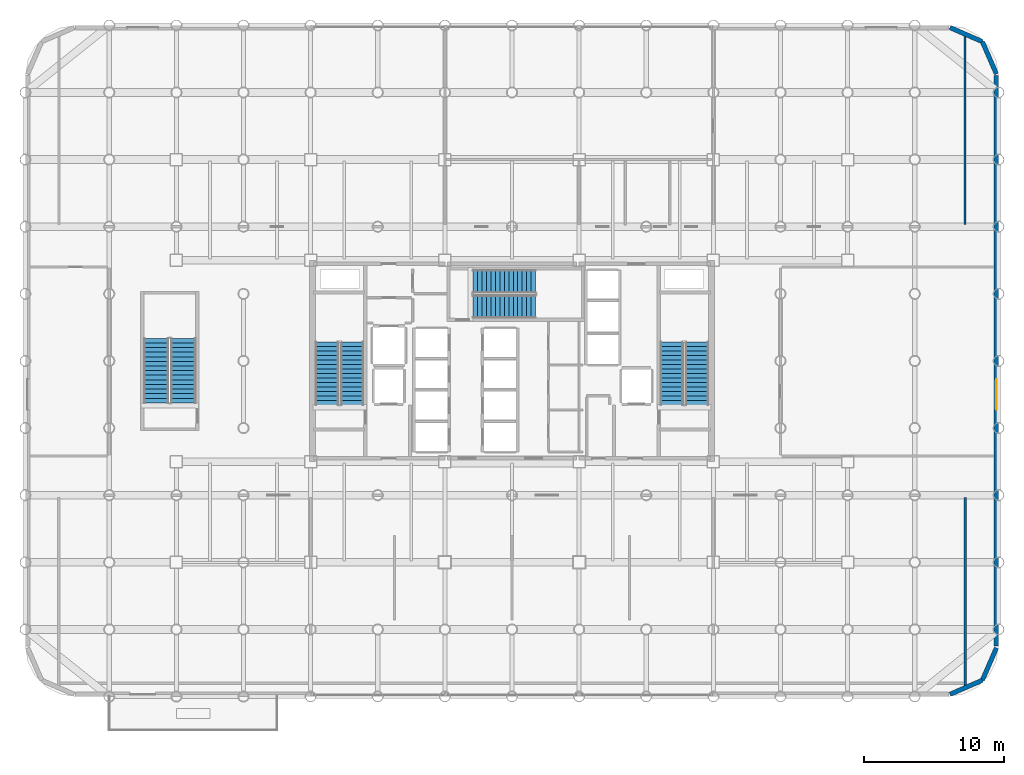
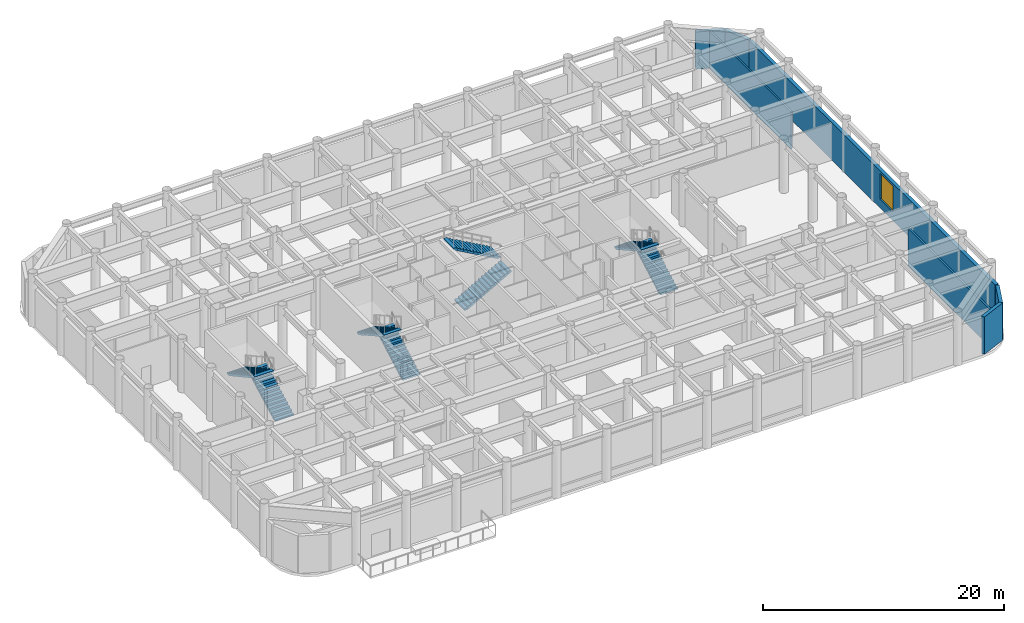
# One storey, part 15 of 17: 8 stair flights, 7 walls, 1 window, 1 opening, 4 elements without a shape of their own.
"""IFC4 building model written with IfcOpenShell, lengths in metres."""

from ifc_helpers import new_model, si_unit, direction, frame, frame_2d, origin, place, context, subcontext, project, spatial, polyline, rectangle, outline, extrude, material, layer, layer_set, type_object, element, fill, aggregate, save


model = new_model("IFC4")

# Units and contexts
model_context = context("Model", 3, precision=1e-05, world=origin(), true_north=direction((0.0, 1.0)))
body_context = subcontext(model_context, "Body", "Model", "MODEL_VIEW")
ifc_project = project(units=[si_unit("LENGTHUNIT", "METRE"), si_unit("AREAUNIT", "SQUARE_METRE"), si_unit("VOLUMEUNIT", "CUBIC_METRE"), si_unit("PLANEANGLEUNIT", "RADIAN"), si_unit("MASSUNIT", "GRAM", prefix="KILO")], contexts=[model_context])

# Site, building, storey
site_placement = place(None, origin())
site = spatial("IfcSite", under=ifc_project, at=site_placement, CompositionType="ELEMENT")
building_placement = place(site_placement, origin())
building = spatial("IfcBuilding", under=site, at=building_placement, Name="Kallvorn Hotel Tower", CompositionType="ELEMENT")
storey_placement = place(building_placement, frame((0.0, 0.0, 19.199951171875)))
storey = spatial("IfcBuildingStorey", under=building, at=storey_placement, Name="L03", CompositionType="ELEMENT", Elevation=19.199951171875)

# Wall
ifc_material_1 = material(Name="Fire-rated double-layer acoustic gypsum drywall EI 60")
ifc_layer_1 = layer(ifc_material_1, 0.179931640625)
ifc_layer_set_1 = layer_set([ifc_layer_1], Name="WL_CORR_180")
wall_type_1 = type_object("IfcWallType", Name="WL_CORR_180", PredefinedType="PARTITIONING", material=ifc_layer_set_1)
wall_1_placement = place(storey_placement, frame((32.39990234375, -23.1982421875, 0.0), z_axis=(0.0, 0.0, 1.0), x_axis=(0.0, 1.0, 0.0)))
element("IfcWall", 1, at=wall_1_placement, inside=storey, type_object=wall_type_1, Name="L03 East Plenary Exhibition Hall Partition", PredefinedType="PARTITIONING", context=body_context, shape_type="SweptSolid", body=[
    extrude(rectangle(XDim=13.4482421875, YDim=0.179931640625, at=frame_2d((6.72412109375, 0.0))), origin(), (0.0, 0.0, 1.0), 3.780029296875),
])

# Wall, opening, window
ifc_material_2 = material(Name="Precast basalt-clad insulated concrete wall C40/50", Category="masonry")
ifc_layer_2 = layer(ifc_material_2, 0.320068359375)
ifc_layer_set_2 = layer_set([ifc_layer_2], Name="WL_EXT_BAY_320")
wall_type_2 = type_object("IfcWallType", Name="WL_EXT_BAY_320", PredefinedType="SOLIDWALL", material=ifc_layer_set_2)
wall_2_placement = place(storey_placement, frame((34.639892578125, 20.39990234375, 0.0), z_axis=(0.0, 0.0, 1.0), x_axis=(0.0, -1.0, 0.0)))
wall_2 = element("IfcWall", 2, at=wall_2_placement, inside=storey, type_object=wall_type_2, Name="L03 Podium Exterior Wall EW-L03-E", PredefinedType="SOLIDWALL", context=body_context, shape_type="SweptSolid", body=[
    extrude(rectangle(XDim=40.7998046875, YDim=0.320068359375, at=frame_2d((20.39990234375, 0.0))), origin(), (0.0, 0.0, 1.0), 3.780029296875),
])
opening_placement = place(wall_2_placement, frame((21.699951171875, 0.0, 0.89990234375)))
opening = element("IfcOpeningElement", 3, at=opening_placement, cuts=wall_2, Name="Opening W03", PredefinedType="OPENING", context=body_context, shape_type="SweptSolid", body=[
    extrude(rectangle(XDim=2.199951171875, YDim=2.60009765625, at=frame_2d((1.10009765625, 1.300048828125))), frame((0.0, 0.175048828125, 0.0), z_axis=(0.0, -1.0, 0.0), x_axis=(1.0, 0.0, 0.0)), (0.0, 0.0, 1.0), 0.35009765625),
])
ifc_material_3 = material(Name="Double-glazed low-e solar-control dark glass", Category="glass")
window_type = type_object("IfcWindowType", Name="WN_CASC_2200x2600", PartitioningType="SINGLE_PANEL", PredefinedType="WINDOW", material=ifc_material_3)
window_placement = place(opening_placement, origin())
window = element("IfcWindow", 4, at=window_placement, inside=storey, type_object=window_type, Name="L03 Podium Window EW-L03-E", OverallHeight=2.60009765625, OverallWidth=2.199951171875, PartitioningType="SINGLE_PANEL", PredefinedType="WINDOW", context=body_context, shape_type="SweptSolid", body=[
    extrude(rectangle(XDim=2.199951171875, YDim=2.60009765625, at=frame_2d((1.10009765625, 1.300048828125))), frame((0.0, 0.030029296875, 0.0), z_axis=(0.0, -1.0, 0.0), x_axis=(1.0, 0.0, 0.0)), (0.0, 0.0, 1.0), 0.06005859375),
])
fill(opening, window)

# Walls
wall_3_placement = place(storey_placement, frame((31.320068359375, -23.837890625, 0.0), z_axis=(0.0, 0.0, 1.0), x_axis=(0.917063898521, 0.3987402739, 0.0)))
element("IfcWall", 5, at=wall_3_placement, inside=storey, type_object=wall_type_2, Name="L03 Rounded Corner Exterior Wall SE1", PredefinedType="SOLIDWALL", context=body_context, shape_type="SweptSolid", body=[
    extrude(rectangle(XDim=2.521484375, YDim=0.320068359375, at=frame_2d((1.2607421875, 0.0))), origin(), (0.0, 0.0, 1.0), 3.780029296875),
])
for number, where, z_axis, x_axis, name in (
    (6, (33.63232421875, -22.83251953125, 0.0), (0.0, 0.0, 1.0), (0.398786293654, 0.917043887714, 0.0), "L03 Rounded Corner Exterior Wall SE2"),
    (7, (34.637939453125, 20.52001953125, 0.0), (0.0, 0.0, 1.0), (-0.398786293654, 0.917043887714, 0.0), "L03 Rounded Corner Exterior Wall NE1"),
):
    element("IfcWall", number, at=place(storey_placement, frame(where, z_axis=z_axis, x_axis=x_axis)), inside=storey, type_object=wall_type_2, Name=name, PredefinedType="SOLIDWALL", context=body_context, shape_type="SweptSolid", body=[
        extrude(rectangle(XDim=2.521728515625, YDim=0.320068359375, at=frame_2d((1.2607421875, 0.0))), origin(), (0.0, 0.0, 1.0), 3.780029296875),
    ])
wall_4_placement = place(storey_placement, frame((33.63232421875, 22.83251953125, 0.0), z_axis=(0.0, 0.0, 1.0), x_axis=(-0.917063898521, 0.3987402739, 0.0)))
element("IfcWall", 8, at=wall_4_placement, inside=storey, type_object=wall_type_2, Name="L03 Rounded Corner Exterior Wall NE2", PredefinedType="SOLIDWALL", context=body_context, shape_type="SweptSolid", body=[
    extrude(rectangle(XDim=2.521484375, YDim=0.320068359375, at=frame_2d((1.2607421875, 0.0))), origin(), (0.0, 0.0, 1.0), 3.780029296875),
])
ifc_material_4 = material(Name="Fire-rated double-layer acoustic gypsum drywall EI 60")
ifc_layer_3 = layer(ifc_material_4, 0.14990234375)
ifc_layer_set_3 = layer_set([ifc_layer_3], Name="WL_PART_150")
wall_type_3 = type_object("IfcWallType", Name="WL_PART_150", PredefinedType="PARTITIONING", material=ifc_layer_set_3)
wall_5_placement = place(storey_placement, frame((32.39990234375, 9.75, 0.0), z_axis=(0.0, 0.0, 1.0), x_axis=(0.0, 1.0, 0.0)))
element("IfcWall", 9, at=wall_5_placement, inside=storey, type_object=wall_type_3, Name="L03 Simultaneous Interpretation and AV Hub Partition", PredefinedType="PARTITIONING", context=body_context, shape_type="SweptSolid", body=[
    extrude(rectangle(XDim=13.4482421875, YDim=0.14990234375, at=frame_2d((6.72412109375, 0.0))), origin(), (0.0, 0.0, 1.0), 3.780029296875),
])

# Stair, stair flights
ifc_material_5 = material(Name="Precast concrete C40/50", Category="concrete")
stair_type_1 = type_object("IfcStairType", Name="STR_CORE_DOGLEG", PredefinedType="HALF_TURN_STAIR", material=ifc_material_5)
stair_1_placement = place(storey_placement, origin())
stair_1 = element("IfcStair", 10, at=stair_1_placement, inside=storey, type_object=stair_type_1, Name="L03 Exit stair ST1", PredefinedType="HALF_TURN_STAIR")
ifc_material_6 = material(Name="Precast concrete C40/50", Category="concrete")
stair_flight_type_1 = type_object("IfcStairFlightType", Name="FLT_CORE_1660", PredefinedType="STRAIGHT", material=ifc_material_6)
stair_flight_1_placement = place(storey_placement, frame((-11.429931640625, -3.139892578125, 0.0), z_axis=(0.0, 0.0, 1.0), x_axis=(0.0, 1.0, 0.0)))
stair_flight_1 = element("IfcStairFlight", 11, at=stair_flight_1_placement, type_object=stair_flight_type_1, Name="ST1 flight 1", NumberOfRisers=15, NumberOfTreads=14, PredefinedType="STRAIGHT", RiserHeight=0.18, TreadLength=0.32, context=body_context, shape_type="SweptSolid", body=[
    extrude(outline(polyline([(0.0, 0.0), (0.0, 0.179931640625), (0.320068359375, 0.179931640625), (0.320068359375, 0.360107421875), (0.639892578125, 0.360107421875), (0.639892578125, 0.5400390625), (0.9599609375, 0.5400390625), (0.9599609375, 0.719970703125), (1.280029296875, 0.719970703125), (1.280029296875, 0.89990234375), (1.60009765625, 0.89990234375), (1.60009765625, 1.080078125), (1.919921875, 1.080078125), (1.919921875, 1.260009765625), (2.239990234375, 1.260009765625), (2.239990234375, 1.43994140625), (2.56005859375, 1.43994140625), (2.56005859375, 1.6201171875), (2.8798828125, 1.6201171875), (2.8798828125, 1.800048828125), (3.199951171875, 1.800048828125), (3.199951171875, 1.97998046875), (3.52001953125, 1.97998046875), (3.52001953125, 2.159912109375), (3.840087890625, 2.159912109375), (3.840087890625, 2.340087890625), (4.159912109375, 2.340087890625), (4.159912109375, 2.52001953125), (4.47998046875, 2.52001953125), (4.47998046875, 2.699951171875), (4.47998046875, 2.347900390625), (0.3056640625, 0.0), (0.0, 0.0)])), frame((0.0, 0.830078125, 0.0), z_axis=(0.0, -1.0, 0.0), x_axis=(1.0, 0.0, 0.0)), (0.0, 0.0, 1.0), 1.659912109375),
])
stair_flight_2_placement = place(storey_placement, frame((-13.22998046875, 1.340087890625, 2.699951171875), z_axis=(0.0, 0.0, 1.0), x_axis=(0.0, -1.0, 0.0)))
stair_flight_2 = element("IfcStairFlight", 12, at=stair_flight_2_placement, type_object=stair_flight_type_1, Name="ST1 flight 2", NumberOfRisers=15, NumberOfTreads=14, PredefinedType="STRAIGHT", RiserHeight=0.18, TreadLength=0.32, context=body_context, shape_type="SweptSolid", body=[
    extrude(outline(polyline([(0.0, 0.0), (0.0, 0.179931640625), (0.320068359375, 0.179931640625), (0.320068359375, 0.360107421875), (0.639892578125, 0.360107421875), (0.639892578125, 0.5400390625), (0.9599609375, 0.5400390625), (0.9599609375, 0.719970703125), (1.280029296875, 0.719970703125), (1.280029296875, 0.89990234375), (1.60009765625, 0.89990234375), (1.60009765625, 1.080078125), (1.919921875, 1.080078125), (1.919921875, 1.260009765625), (2.239990234375, 1.260009765625), (2.239990234375, 1.43994140625), (2.56005859375, 1.43994140625), (2.56005859375, 1.6201171875), (2.8798828125, 1.6201171875), (2.8798828125, 1.800048828125), (3.199951171875, 1.800048828125), (3.199951171875, 1.97998046875), (3.52001953125, 1.97998046875), (3.52001953125, 2.159912109375), (3.840087890625, 2.159912109375), (3.840087890625, 2.340087890625), (4.159912109375, 2.340087890625), (4.159912109375, 2.52001953125), (4.47998046875, 2.52001953125), (4.47998046875, 2.699951171875), (4.47998046875, 2.347900390625), (0.3056640625, 0.0), (0.0, 0.0)])), frame((0.0, 0.830078125, 0.0), z_axis=(0.0, -1.0, 0.0), x_axis=(1.0, 0.0, 0.0)), (0.0, 0.0, 1.0), 1.659912109375),
])
aggregate(stair_1, [stair_flight_1, stair_flight_2])

stair_2_placement = place(storey_placement, origin())
stair_2 = element("IfcStair", 13, at=stair_2_placement, inside=storey, type_object=stair_type_1, Name="L03 Exit stair ST2", PredefinedType="HALF_TURN_STAIR")
stair_flight_3_placement = place(storey_placement, frame((13.22998046875, -3.139892578125, 0.0), z_axis=(0.0, 0.0, 1.0), x_axis=(0.0, 1.0, 0.0)))
stair_flight_3 = element("IfcStairFlight", 14, at=stair_flight_3_placement, type_object=stair_flight_type_1, Name="ST2 flight 1", NumberOfRisers=15, NumberOfTreads=14, PredefinedType="STRAIGHT", RiserHeight=0.18, TreadLength=0.32, context=body_context, shape_type="SweptSolid", body=[
    extrude(outline(polyline([(0.0, 0.0), (0.0, 0.179931640625), (0.320068359375, 0.179931640625), (0.320068359375, 0.360107421875), (0.639892578125, 0.360107421875), (0.639892578125, 0.5400390625), (0.9599609375, 0.5400390625), (0.9599609375, 0.719970703125), (1.280029296875, 0.719970703125), (1.280029296875, 0.89990234375), (1.60009765625, 0.89990234375), (1.60009765625, 1.080078125), (1.919921875, 1.080078125), (1.919921875, 1.260009765625), (2.239990234375, 1.260009765625), (2.239990234375, 1.43994140625), (2.56005859375, 1.43994140625), (2.56005859375, 1.6201171875), (2.8798828125, 1.6201171875), (2.8798828125, 1.800048828125), (3.199951171875, 1.800048828125), (3.199951171875, 1.97998046875), (3.52001953125, 1.97998046875), (3.52001953125, 2.159912109375), (3.840087890625, 2.159912109375), (3.840087890625, 2.340087890625), (4.159912109375, 2.340087890625), (4.159912109375, 2.52001953125), (4.47998046875, 2.52001953125), (4.47998046875, 2.699951171875), (4.47998046875, 2.347900390625), (0.3056640625, 0.0), (0.0, 0.0)])), frame((0.0, 0.830078125, 0.0), z_axis=(0.0, -1.0, 0.0), x_axis=(1.0, 0.0, 0.0)), (0.0, 0.0, 1.0), 1.659912109375),
])
stair_flight_4_placement = place(storey_placement, frame((11.429931640625, 1.340087890625, 2.699951171875), z_axis=(0.0, 0.0, 1.0), x_axis=(0.0, -1.0, 0.0)))
stair_flight_4 = element("IfcStairFlight", 15, at=stair_flight_4_placement, type_object=stair_flight_type_1, Name="ST2 flight 2", NumberOfRisers=15, NumberOfTreads=14, PredefinedType="STRAIGHT", RiserHeight=0.18, TreadLength=0.32, context=body_context, shape_type="SweptSolid", body=[
    extrude(outline(polyline([(0.0, 0.0), (0.0, 0.179931640625), (0.320068359375, 0.179931640625), (0.320068359375, 0.360107421875), (0.639892578125, 0.360107421875), (0.639892578125, 0.5400390625), (0.9599609375, 0.5400390625), (0.9599609375, 0.719970703125), (1.280029296875, 0.719970703125), (1.280029296875, 0.89990234375), (1.60009765625, 0.89990234375), (1.60009765625, 1.080078125), (1.919921875, 1.080078125), (1.919921875, 1.260009765625), (2.239990234375, 1.260009765625), (2.239990234375, 1.43994140625), (2.56005859375, 1.43994140625), (2.56005859375, 1.6201171875), (2.8798828125, 1.6201171875), (2.8798828125, 1.800048828125), (3.199951171875, 1.800048828125), (3.199951171875, 1.97998046875), (3.52001953125, 1.97998046875), (3.52001953125, 2.159912109375), (3.840087890625, 2.159912109375), (3.840087890625, 2.340087890625), (4.159912109375, 2.340087890625), (4.159912109375, 2.52001953125), (4.47998046875, 2.52001953125), (4.47998046875, 2.699951171875), (4.47998046875, 2.347900390625), (0.3056640625, 0.0), (0.0, 0.0)])), frame((0.0, 0.830078125, 0.0), z_axis=(0.0, -1.0, 0.0), x_axis=(1.0, 0.0, 0.0)), (0.0, 0.0, 1.0), 1.659912109375),
])
aggregate(stair_2, [stair_flight_3, stair_flight_4])

stair_3_placement = place(storey_placement, origin())
stair_3 = element("IfcStair", 16, at=stair_3_placement, inside=storey, type_object=stair_type_1, Name="L03 Exit stair ST3", PredefinedType="HALF_TURN_STAIR")
stair_flight_5_placement = place(storey_placement, frame((-2.7900390625, 3.8798828125, 0.0), z_axis=(0.0, 0.0, 1.0), x_axis=(1.0, 0.0, 0.0)))
stair_flight_5 = element("IfcStairFlight", 17, at=stair_flight_5_placement, type_object=stair_flight_type_1, Name="ST3 flight 1", NumberOfRisers=15, NumberOfTreads=14, PredefinedType="STRAIGHT", RiserHeight=0.18, TreadLength=0.32, context=body_context, shape_type="SweptSolid", body=[
    extrude(outline(polyline([(0.0, 0.0), (0.0, 0.179931640625), (0.320068359375, 0.179931640625), (0.320068359375, 0.360107421875), (0.639892578125, 0.360107421875), (0.639892578125, 0.5400390625), (0.9599609375, 0.5400390625), (0.9599609375, 0.719970703125), (1.280029296875, 0.719970703125), (1.280029296875, 0.89990234375), (1.60009765625, 0.89990234375), (1.60009765625, 1.080078125), (1.919921875, 1.080078125), (1.919921875, 1.260009765625), (2.239990234375, 1.260009765625), (2.239990234375, 1.43994140625), (2.56005859375, 1.43994140625), (2.56005859375, 1.6201171875), (2.8798828125, 1.6201171875), (2.8798828125, 1.800048828125), (3.199951171875, 1.800048828125), (3.199951171875, 1.97998046875), (3.52001953125, 1.97998046875), (3.52001953125, 2.159912109375), (3.840087890625, 2.159912109375), (3.840087890625, 2.340087890625), (4.159912109375, 2.340087890625), (4.159912109375, 2.52001953125), (4.47998046875, 2.52001953125), (4.47998046875, 2.699951171875), (4.47998046875, 2.347900390625), (0.3056640625, 0.0), (0.0, 0.0)])), frame((0.0, 0.830078125, 0.0), z_axis=(0.0, -1.0, 0.0), x_axis=(1.0, 0.0, 0.0)), (0.0, 0.0, 1.0), 1.659912109375),
])
stair_flight_6_placement = place(storey_placement, frame((1.68994140625, 5.679931640625, 2.699951171875), z_axis=(0.0, 0.0, 1.0), x_axis=(-1.0, 0.0, 0.0)))
stair_flight_6 = element("IfcStairFlight", 18, at=stair_flight_6_placement, type_object=stair_flight_type_1, Name="ST3 flight 2", NumberOfRisers=15, NumberOfTreads=14, PredefinedType="STRAIGHT", RiserHeight=0.18, TreadLength=0.32, context=body_context, shape_type="SweptSolid", body=[
    extrude(outline(polyline([(0.0, 0.0), (0.0, 0.179931640625), (0.320068359375, 0.179931640625), (0.320068359375, 0.360107421875), (0.639892578125, 0.360107421875), (0.639892578125, 0.5400390625), (0.9599609375, 0.5400390625), (0.9599609375, 0.719970703125), (1.280029296875, 0.719970703125), (1.280029296875, 0.89990234375), (1.60009765625, 0.89990234375), (1.60009765625, 1.080078125), (1.919921875, 1.080078125), (1.919921875, 1.260009765625), (2.239990234375, 1.260009765625), (2.239990234375, 1.43994140625), (2.56005859375, 1.43994140625), (2.56005859375, 1.6201171875), (2.8798828125, 1.6201171875), (2.8798828125, 1.800048828125), (3.199951171875, 1.800048828125), (3.199951171875, 1.97998046875), (3.52001953125, 1.97998046875), (3.52001953125, 2.159912109375), (3.840087890625, 2.159912109375), (3.840087890625, 2.340087890625), (4.159912109375, 2.340087890625), (4.159912109375, 2.52001953125), (4.47998046875, 2.52001953125), (4.47998046875, 2.699951171875), (4.47998046875, 2.347900390625), (0.3056640625, 0.0), (0.0, 0.0)])), frame((0.0, 0.830078125, 0.0), z_axis=(0.0, -1.0, 0.0), x_axis=(1.0, 0.0, 0.0)), (0.0, 0.0, 1.0), 1.659912109375),
])
aggregate(stair_3, [stair_flight_5, stair_flight_6])

ifc_material_7 = material(Name="Precast concrete C40/50", Category="concrete")
stair_type_2 = type_object("IfcStairType", Name="STR_POD_DOGLEG", PredefinedType="HALF_TURN_STAIR", material=ifc_material_7)
stair_4_placement = place(storey_placement, origin())
stair_4 = element("IfcStair", 19, at=stair_4_placement, inside=storey, type_object=stair_type_2, Name="L03 Exit stair ST4", PredefinedType="HALF_TURN_STAIR")
ifc_material_8 = material(Name="Precast concrete C40/50", Category="concrete")
stair_flight_type_2 = type_object("IfcStairFlightType", Name="FLT_POD_1800", PredefinedType="STRAIGHT", material=ifc_material_8)
stair_flight_7_placement = place(storey_placement, frame((-23.5, -3.0, 0.0), z_axis=(0.0, 0.0, 1.0), x_axis=(0.0, 1.0, 0.0)))
stair_flight_7 = element("IfcStairFlight", 20, at=stair_flight_7_placement, type_object=stair_flight_type_2, Name="ST4 flight 1", NumberOfRisers=15, NumberOfTreads=14, PredefinedType="STRAIGHT", RiserHeight=0.18, TreadLength=0.33, context=body_context, shape_type="SweptSolid", body=[
    extrude(outline(polyline([(0.0, 0.0), (0.0, 0.179931640625), (0.330078125, 0.179931640625), (0.330078125, 0.360107421875), (0.659912109375, 0.360107421875), (0.659912109375, 0.5400390625), (0.989990234375, 0.5400390625), (0.989990234375, 0.719970703125), (1.320068359375, 0.719970703125), (1.320068359375, 0.89990234375), (1.64990234375, 0.89990234375), (1.64990234375, 1.080078125), (1.97998046875, 1.080078125), (1.97998046875, 1.260009765625), (2.31005859375, 1.260009765625), (2.31005859375, 1.43994140625), (2.639892578125, 1.43994140625), (2.639892578125, 1.6201171875), (2.969970703125, 1.6201171875), (2.969970703125, 1.800048828125), (3.300048828125, 1.800048828125), (3.300048828125, 1.97998046875), (3.6298828125, 1.97998046875), (3.6298828125, 2.159912109375), (3.9599609375, 2.159912109375), (3.9599609375, 2.340087890625), (4.2900390625, 2.340087890625), (4.2900390625, 2.52001953125), (4.6201171875, 2.52001953125), (4.6201171875, 2.699951171875), (4.6201171875, 2.349365234375), (0.31298828125, 0.0), (0.0, 0.0)])), frame((0.0, 0.89990234375, 0.0), z_axis=(0.0, -1.0, 0.0), x_axis=(1.0, 0.0, 0.0)), (0.0, 0.0, 1.0), 1.800048828125),
])
stair_flight_8_placement = place(storey_placement, frame((-25.43994140625, 1.6201171875, 2.699951171875), z_axis=(0.0, 0.0, 1.0), x_axis=(0.0, -1.0, 0.0)))
stair_flight_8 = element("IfcStairFlight", 21, at=stair_flight_8_placement, type_object=stair_flight_type_2, Name="ST4 flight 2", NumberOfRisers=15, NumberOfTreads=14, PredefinedType="STRAIGHT", RiserHeight=0.18, TreadLength=0.33, context=body_context, shape_type="SweptSolid", body=[
    extrude(outline(polyline([(0.0, 0.0), (0.0, 0.179931640625), (0.330078125, 0.179931640625), (0.330078125, 0.360107421875), (0.659912109375, 0.360107421875), (0.659912109375, 0.5400390625), (0.989990234375, 0.5400390625), (0.989990234375, 0.719970703125), (1.320068359375, 0.719970703125), (1.320068359375, 0.89990234375), (1.64990234375, 0.89990234375), (1.64990234375, 1.080078125), (1.97998046875, 1.080078125), (1.97998046875, 1.260009765625), (2.31005859375, 1.260009765625), (2.31005859375, 1.43994140625), (2.639892578125, 1.43994140625), (2.639892578125, 1.6201171875), (2.969970703125, 1.6201171875), (2.969970703125, 1.800048828125), (3.300048828125, 1.800048828125), (3.300048828125, 1.97998046875), (3.6298828125, 1.97998046875), (3.6298828125, 2.159912109375), (3.9599609375, 2.159912109375), (3.9599609375, 2.340087890625), (4.2900390625, 2.340087890625), (4.2900390625, 2.52001953125), (4.6201171875, 2.52001953125), (4.6201171875, 2.699951171875), (4.6201171875, 2.349365234375), (0.31298828125, 0.0), (0.0, 0.0)])), frame((0.0, 0.89990234375, 0.0), z_axis=(0.0, -1.0, 0.0), x_axis=(1.0, 0.0, 0.0)), (0.0, 0.0, 1.0), 1.800048828125),
])
aggregate(stair_4, [stair_flight_7, stair_flight_8])

save(model, "model.ifc")
